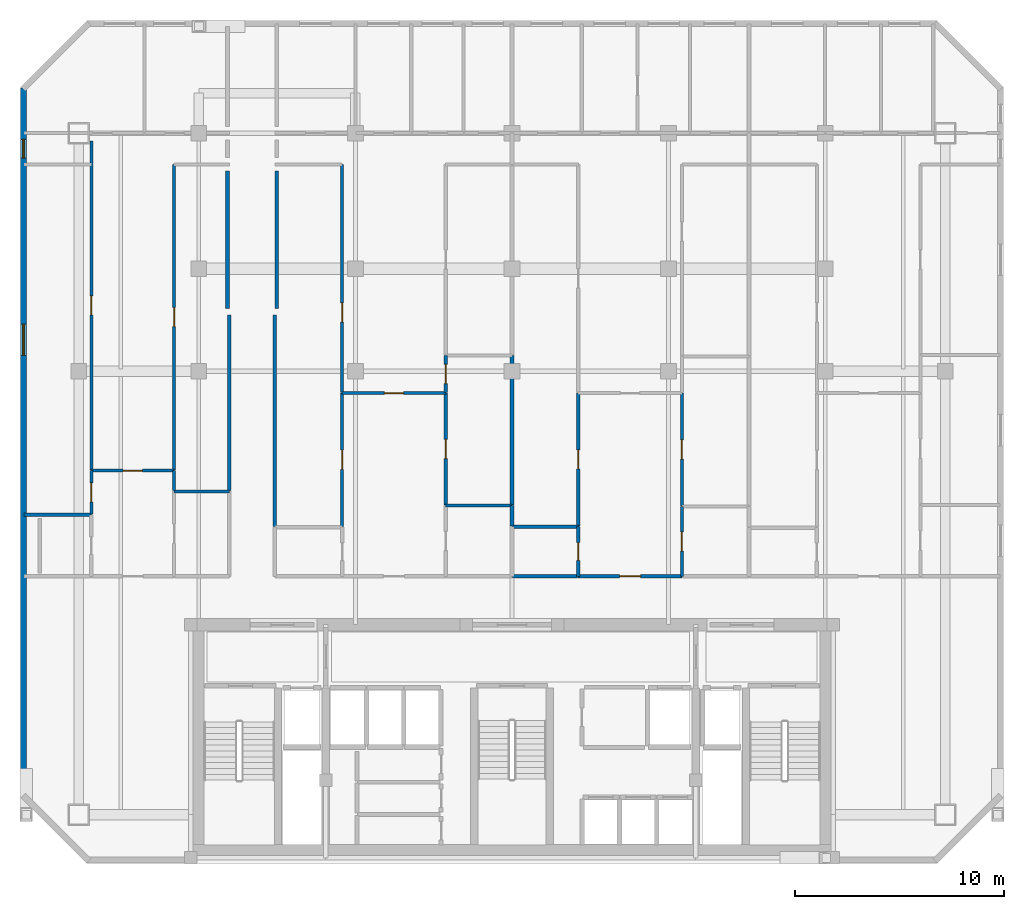
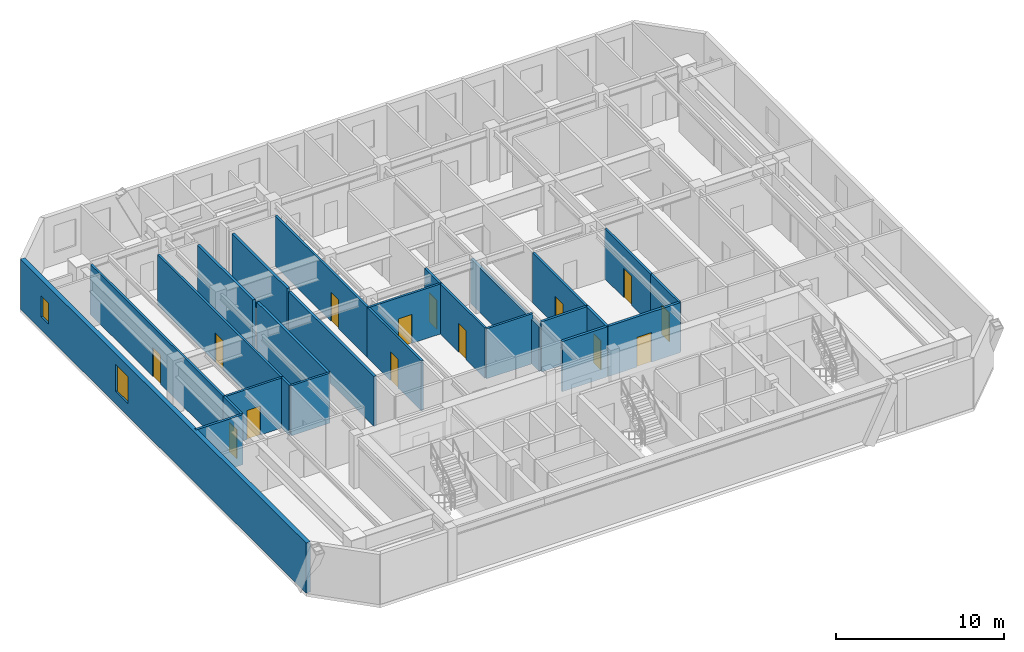
# One storey, part 4 of 9: 27 walls, 14 doors, 2 windows, 16 openings.
"""IFC4 building model written with IfcOpenShell, lengths in metres."""

import ifcopenshell
import ifcopenshell.guid

model = None  # the IFC model being written
_history = None  # IfcOwnerHistory: only IFC2X3 demands one
_inside = {}  # id of a spatial element -> (the spatial element, [elements in it])
_under = {}  # id of a project, library or spatial element -> (it, [spatial elements below it])
_declared = {}  # id of a project -> (the project, [libraries it declares])
_typed = {}  # id of a type object -> (the type object, [elements of that type])
_made_of = {}  # id of a material, layer set ... -> (it, [elements and type objects made of it])


def new_model(schema):
    """Start an empty IFC model of exactly this schema.

    Asked for "IFC4X3", IfcOpenShell would pick the latest addendum, in which some entities
    have other attributes; the version numbers below select the first issue.
    IFC2X3 requires an IfcOwnerHistory on every rooted entity: one is made here for all.
    """
    global model, _history
    if schema == "IFC4X3":
        model = ifcopenshell.file(schema_version=(4, 3, 0, 0))
    else:
        model = ifcopenshell.file(schema=schema)
    _inside.clear()
    _under.clear()
    _declared.clear()
    _typed.clear()
    _made_of.clear()
    _history = None
    if model.schema == "IFC2X3":
        org = make("IfcOrganization", Name="unknown")
        user = make(
            "IfcPersonAndOrganization",
            ThePerson=make("IfcPerson", FamilyName="unknown"),
            TheOrganization=org,
        )
        app = make(
            "IfcApplication",
            ApplicationDeveloper=org,
            Version="unknown",
            ApplicationFullName="unknown",
            ApplicationIdentifier="unknown",
        )
        _history = make(
            "IfcOwnerHistory",
            OwningUser=user,
            OwningApplication=app,
            ChangeAction="ADDED",
            CreationDate=0,
        )
    return model


def make(cls, **values):
    """One entity of the class cls with the attributes given. An attribute that is None is left unset."""
    return model.create_entity(
        cls, **{name: value for name, value in values.items() if value is not None}
    )


def rooted(cls, **values):
    """An entity with a GlobalId (a new one), such as an element, a storey or a relation."""
    return make(cls, GlobalId=ifcopenshell.guid.new(), OwnerHistory=_history, **values)


def si_unit(unit_type, name, prefix=None):
    """IfcSIUnit, for example si_unit("LENGTHUNIT", "METRE", prefix="MILLI")."""
    return make("IfcSIUnit", UnitType=unit_type, Prefix=prefix, Name=name)


def assignment(units):
    """IfcUnitAssignment: the units of a project."""
    return None if units is None else make("IfcUnitAssignment", Units=units)


def point(xyz):
    """IfcCartesianPoint."""
    return None if xyz is None else make("IfcCartesianPoint", Coordinates=xyz)


def direction(xyz):
    """IfcDirection."""
    return None if xyz is None else make("IfcDirection", DirectionRatios=xyz)


def frame(location, z_axis=None, x_axis=None):
    """IfcAxis2Placement3D, a coordinate frame: its origin and axes. An axis left out is left unset."""
    return make(
        "IfcAxis2Placement3D",
        Location=point(location),
        Axis=direction(z_axis),
        RefDirection=direction(x_axis),
    )


def frame_2d(location, x_axis=None):
    """IfcAxis2Placement2D, a coordinate frame in the plane: its origin and x axis."""
    return make(
        "IfcAxis2Placement2D", Location=point(location), RefDirection=direction(x_axis)
    )


def origin():
    """The frame at (0, 0, 0) with its axes left unset."""
    return frame((0.0, 0.0, 0.0))


def place(relative_to, where):
    """IfcLocalPlacement: puts the frame where relative to a parent placement (None: the world)."""
    return make(
        "IfcLocalPlacement", PlacementRelTo=relative_to, RelativePlacement=where
    )


def context(
    kind, dimensions, precision=None, world=None, true_north=None, identifier=None
):
    """IfcGeometricRepresentationContext, for example the 3D "Model" context."""
    return make(
        "IfcGeometricRepresentationContext",
        ContextIdentifier=identifier,
        ContextType=kind,
        CoordinateSpaceDimension=dimensions,
        Precision=precision,
        WorldCoordinateSystem=world,
        TrueNorth=true_north,
    )


def subcontext(parent, identifier, kind, view, scale=None):
    """IfcGeometricRepresentationSubContext, for example "Body" below "Model"."""
    return make(
        "IfcGeometricRepresentationSubContext",
        ContextIdentifier=identifier,
        ContextType=kind,
        ParentContext=parent,
        TargetScale=scale,
        TargetView=view,
    )


def project(units=None, contexts=None):
    """IfcProject with its units and contexts."""
    return rooted(
        "IfcProject",
        Name="project",
        RepresentationContexts=contexts,
        UnitsInContext=assignment(units),
    )


def spatial(cls, under=None, at=None, **own):
    """A site, building, storey or space (cls), placed at a placement, below another one or the project."""
    s = rooted(cls, ObjectPlacement=at, **own)
    if under is not None:
        _under.setdefault(under.id(), (under, []))[1].append(s)
    return s


def profile(cls, at=None, kind="AREA", **sizes):
    """A parametric profile (cls). Its sizes go by their IFC names, for example OverallWidth=200.0."""
    return make(cls, ProfileType=kind, Position=at, **sizes)


def rectangle(**sizes):
    """IfcRectangleProfileDef."""
    return profile("IfcRectangleProfileDef", **sizes)


def extrude(swept, where, along, depth):
    """IfcExtrudedAreaSolid: the profile swept, set in the frame where, extruded along a direction by depth."""
    return make(
        "IfcExtrudedAreaSolid",
        SweptArea=swept,
        Position=where,
        ExtrudedDirection=direction(along),
        Depth=depth,
    )


def shape(context_of_items, identifier, shape_type, items):
    """IfcShapeRepresentation: the items that make up one representation, for example the "Body"."""
    return make(
        "IfcShapeRepresentation",
        ContextOfItems=context_of_items,
        RepresentationIdentifier=identifier,
        RepresentationType=shape_type,
        Items=items,
    )


def material(Name=None, Category=None):
    """IfcMaterial."""
    return make("IfcMaterial", Name=Name, Category=Category)


def layer(
    of_material, thickness, ventilated=None, Name=None, Category=None, Priority=None
):
    """IfcMaterialLayer: one layer of a wall or slab, of a material (None: an air gap)."""
    return make(
        "IfcMaterialLayer",
        Material=of_material,
        LayerThickness=thickness,
        IsVentilated=ventilated,
        Name=Name,
        Category=Category,
        Priority=Priority,
    )


def layer_set(layers, Name=None):
    """IfcMaterialLayerSet."""
    return make("IfcMaterialLayerSet", MaterialLayers=layers, LayerSetName=Name)


def made_of(thing, what):
    """Note that an element or type object is made of a material, layer set ...; save() writes the relation."""
    if what is not None:
        _made_of.setdefault(what.id(), (what, []))[1].append(thing)
    return thing


def type_object(cls, material=None, **own):
    """A type object (cls), such as IfcWallType, which elements share."""
    return made_of(rooted(cls, **own), material)


def element(
    cls,
    number,
    at=None,
    inside=None,
    cuts=None,
    type_object=None,
    material=None,
    context=None,
    identifier="Body",
    shape_type=None,
    held_by="IfcProductDefinitionShape",
    body=None,
    shapes=None,
    **own,
):
    """One element of the class cls, such as IfcWall. Its Tag is "e" and its number.

    at: its placement. inside: the storey or other place that contains it. cuts: it is an
    opening in that element (IfcRelVoidsElement). A single representation is given by context,
    identifier, shape_type and body (its items); several are given by shapes. held_by: the class
    of the entity that holds the representations. save() writes the other relations.
    """
    e = rooted(cls, Tag="e%d" % number, ObjectPlacement=at, **own)
    if body is not None:
        shapes = [shape(context, identifier, shape_type, body)]
    if shapes is not None:
        e.Representation = make(held_by, Representations=shapes)
    if inside is not None:
        _inside.setdefault(inside.id(), (inside, []))[1].append(e)
    if cuts is not None:
        rooted(
            "IfcRelVoidsElement", RelatingBuildingElement=cuts, RelatedOpeningElement=e
        )
    if type_object is not None:
        _typed.setdefault(type_object.id(), (type_object, []))[1].append(e)
    return made_of(e, material)


def fill(opening, filler):
    """IfcRelFillsElement: the door or window that sits in an opening."""
    return rooted(
        "IfcRelFillsElement",
        RelatingOpeningElement=opening,
        RelatedBuildingElement=filler,
    )


def aggregate(whole, parts):
    """IfcRelAggregates: a whole, such as a stair, and the parts it consists of."""
    return rooted("IfcRelAggregates", RelatingObject=whole, RelatedObjects=parts)


def save(model, path):
    """Write the relations noted so far, then the file.

    IfcRelAggregates (storeys below a building ...), IfcRelContainedInSpatialStructure (elements
    in a storey), IfcRelDefinesByType, IfcRelAssociatesMaterial and IfcRelDeclares: one each for
    every whole, place, type object, material and project.
    """
    for whole, parts in _under.values():
        aggregate(whole, parts)
    for where, things in _inside.values():
        rooted(
            "IfcRelContainedInSpatialStructure",
            RelatedElements=things,
            RelatingStructure=where,
        )
    for kind, things in _typed.values():
        rooted("IfcRelDefinesByType", RelatedObjects=things, RelatingType=kind)
    for what, things in _made_of.values():
        rooted("IfcRelAssociatesMaterial", RelatedObjects=things, RelatingMaterial=what)
    for by, libraries in _declared.values():
        rooted("IfcRelDeclares", RelatingContext=by, RelatedDefinitions=libraries)
    model.write(path)


model = new_model("IFC4")

# Units and contexts
model_context = context("Model", 3, precision=1e-05, world=origin(), true_north=direction((0.0, 1.0)))
body_context = subcontext(model_context, "Body", "Model", "MODEL_VIEW")
ifc_project = project(units=[si_unit("LENGTHUNIT", "METRE"), si_unit("AREAUNIT", "SQUARE_METRE"), si_unit("VOLUMEUNIT", "CUBIC_METRE"), si_unit("PLANEANGLEUNIT", "RADIAN"), si_unit("MASSUNIT", "GRAM", prefix="KILO")], contexts=[model_context])

# Site, building, storey
site_placement = place(None, origin())
site = spatial("IfcSite", under=ifc_project, at=site_placement, CompositionType="ELEMENT")
building_placement = place(site_placement, origin())
building = spatial("IfcBuilding", under=site, at=building_placement, Name="Ventersveld Concourse Tower", CompositionType="ELEMENT")
storey_placement = place(building_placement, frame((0.0, 0.0, 215.699951171875)))
storey = spatial("IfcBuildingStorey", under=building, at=storey_placement, Name="L53", CompositionType="ELEMENT", Elevation=215.699951171875)

# Walls
ifc_material_1 = material(Name="Fire-rated autoclaved aerated masonry blockwork", Category="masonry")
ifc_layer_1 = layer(ifc_material_1, 0.179931640625)
ifc_layer_set_1 = layer_set([ifc_layer_1], Name="Fire-rated autoclaved aerated masonry blockwork")
wall_type_1 = type_object("IfcWallType", Name="WL-CORR-180", PredefinedType="PARTITIONING", material=ifc_layer_set_1)
wall_1_placement = place(storey_placement, frame((15.2099609375, 17.875732421875, 0.0), z_axis=(0.0, 0.0, 1.0), x_axis=(0.0, 1.0, 0.0)))
element("IfcWall", 1, at=wall_1_placement, inside=storey, type_object=wall_type_1, Name="L53 Interior Partition SP-L53-COR-SP-L53-53NW-SEMR1", PredefinedType="PARTITIONING", context=body_context, shape_type="SweptSolid", body=[
    extrude(rectangle(XDim=8.419189453125, YDim=0.179931640625, at=frame_2d((4.20947265625, 0.0))), origin(), (0.0, 0.0, 1.0), 3.630126953125),
])
wall_2_placement = place(storey_placement, frame((17.389892578125, 16.15478515625, 0.0), z_axis=(0.0, 0.0, 1.0), x_axis=(0.0, 1.0, 0.0)))
element("IfcWall", 2, at=wall_2_placement, inside=storey, type_object=wall_type_1, Name="L53 Interior Partition SP-L53-COR-SP-L53-53N1-OFFL0", PredefinedType="PARTITIONING", context=body_context, shape_type="SweptSolid", body=[
    extrude(rectangle(XDim=10.14013671875, YDim=0.179931640625, at=frame_2d((5.070068359375, 0.0))), origin(), (0.0, 0.0, 1.0), 3.630126953125),
])

# Wall, opening, door
wall_3_placement = place(storey_placement, frame((31.92041015625, 13.77001953125, 0.0), z_axis=(0.0, 0.0, 1.0), x_axis=(1.0, 0.0, 0.0)))
wall_3 = element("IfcWall", 3, at=wall_3_placement, inside=storey, type_object=wall_type_1, Name="L53 Interior Partition SP-L53-COR-SP-L53-53N2-FOY", PredefinedType="PARTITIONING", context=body_context, shape_type="SweptSolid", body=[
    extrude(rectangle(XDim=4.97265625, YDim=0.179931640625, at=frame_2d((2.486328125, 0.0))), origin(), (0.0, 0.0, 1.0), 3.630126953125),
])
opening_1_placement = place(wall_3_placement, frame((1.986328125, 0.0, 0.0)))
opening_1 = element("IfcOpeningElement", 4, at=opening_1_placement, cuts=wall_3, Name="Opening FD3", PredefinedType="OPENING", context=body_context, shape_type="SweptSolid", body=[
    extrude(rectangle(XDim=1.0, YDim=2.14990234375, at=frame_2d((0.5, 1.074951171875))), frame((0.0, 0.10009765625, 0.0), z_axis=(0.0, -1.0, 0.0), x_axis=(1.0, 0.0, 0.0)), (0.0, 0.0, 1.0), 0.199951171875),
])
ifc_material_2 = material(Name="Solid-core hardwood veneer timber", Category="wood")
door_type_1 = type_object("IfcDoorType", Name="DR-FLAT-100", OperationType="NOTDEFINED", PredefinedType="DOOR", material=ifc_material_2)
door_1_placement = place(opening_1_placement, origin())
door_1 = element("IfcDoor", 5, at=door_1_placement, inside=storey, type_object=door_type_1, Name="L53 Interior Door SP-L53-COR to SP-L53-53N2-FOY (FD-L53-2567)", OperationType="SINGLE_SWING_LEFT", OverallHeight=2.14990234375, OverallWidth=1.0, PredefinedType="DOOR", context=body_context, shape_type="SweptSolid", body=[
    extrude(rectangle(XDim=1.0, YDim=2.14990234375, at=frame_2d((0.5, 1.074951171875))), frame((0.0, 0.02490234375, 0.0), z_axis=(0.0, -1.0, 0.0), x_axis=(1.0, 0.0, 0.0)), (0.0, 0.0, 1.0), 0.050048828125),
])
fill(opening_1, door_1)

# Walls
wall_4_placement = place(storey_placement, frame((28.784912109375, 13.77001953125, 0.0), z_axis=(0.0, 0.0, 1.0), x_axis=(1.0, 0.0, 0.0)))
element("IfcWall", 6, at=wall_4_placement, inside=storey, type_object=wall_type_1, Name="L53 Interior Partition SP-L53-COR-SP-L53-53N2-BATH", PredefinedType="PARTITIONING", context=body_context, shape_type="SweptSolid", body=[
    extrude(rectangle(XDim=3.10546875, YDim=0.179931640625, at=frame_2d((1.552734375, 0.0))), origin(), (0.0, 0.0, 1.0), 3.630126953125),
])
for number, where, z_axis, x_axis, name in (
    (7, (15.1201171875, 33.175048828125, 0.0), (0.0, 0.0, 1.0), (0.0, -1.0, 0.0), "L53 Room Enclosure Wall SP-L53-53NW-SEMR1"),
    (8, (17.47998046875, 26.60986328125, 0.0), (0.0, 0.0, 1.0), (0.0, 1.0, 0.0), "L53 Room Enclosure Wall SP-L53-53N1-OFFL0"),
):
    element("IfcWall", number, at=place(storey_placement, frame(where, z_axis=z_axis, x_axis=x_axis)), inside=storey, type_object=wall_type_1, Name=name, PredefinedType="PARTITIONING", context=body_context, shape_type="SweptSolid", body=[
        extrude(rectangle(XDim=6.565185546875, YDim=0.179931640625, at=frame_2d((3.28271484375, 0.0))), origin(), (0.0, 0.0, 1.0), 3.630126953125),
    ])
ifc_layer_2 = layer(ifc_material_1, 0.199951171875)
ifc_layer_set_2 = layer_set([ifc_layer_2], Name="Fire-rated autoclaved aerated masonry blockwork")
wall_type_2 = type_object("IfcWallType", Name="WL-DEMISE-200", PredefinedType="PARTITIONING", material=ifc_layer_set_2)
wall_5_placement = place(storey_placement, frame((28.75, 16.1884765625, 0.0), z_axis=(0.0, 0.0, 1.0), x_axis=(0.0, 1.0, 0.0)))
element("IfcWall", 9, at=wall_5_placement, inside=storey, type_object=wall_type_2, Name="L53 Interior Partition SP-L53-53N1-KIT-SP-L53-53N2-OFFL0", PredefinedType="PARTITIONING", context=body_context, shape_type="SweptSolid", body=[
    extrude(rectangle(XDim=0.971435546875, YDim=0.199951171875, at=frame_2d((0.48583984375, 0.0))), origin(), (0.0, 0.0, 1.0), 3.2236328125),
])
wall_6_placement = place(storey_placement, frame((28.75, 17.18994140625, 0.0), z_axis=(0.0, 0.0, 1.0), x_axis=(0.0, 1.0, 0.0)))
element("IfcWall", 10, at=wall_6_placement, inside=storey, type_object=wall_type_2, Name="L53 Interior Partition SP-L53-53N1-DENR-SP-L53-53N2-OFFL0", PredefinedType="PARTITIONING", context=body_context, shape_type="SweptSolid", body=[
    extrude(rectangle(XDim=7.1552734375, YDim=0.199951171875, at=frame_2d((3.57763671875, 0.0))), origin(), (0.0, 0.0, 1.0), 3.2236328125),
])

# Wall, opening, door
ifc_material_3 = material(Name="Autoclaved aerated masonry blockwork", Category="masonry")
ifc_layer_3 = layer(ifc_material_3, 0.14990234375)
ifc_layer_set_3 = layer_set([ifc_layer_3], Name="Autoclaved aerated masonry blockwork")
wall_type_3 = type_object("IfcWallType", Name="WL-INT-150", PredefinedType="PARTITIONING", material=ifc_layer_set_3)
wall_7_placement = place(storey_placement, frame((8.59765625, 18.83349609375, 0.0), z_axis=(0.0, 0.0, 1.0), x_axis=(1.0, 0.0, 0.0)))
wall_7 = element("IfcWall", 11, at=wall_7_placement, inside=storey, type_object=wall_type_3, Name="L53 Interior Partition SP-L53-53NW-FOY-SP-L53-53NW-LIV", PredefinedType="PARTITIONING", context=body_context, shape_type="SweptSolid", body=[
    extrude(rectangle(XDim=3.969970703125, YDim=0.14990234375, at=frame_2d((1.98486328125, 0.0))), origin(), (0.0, 0.0, 1.0), 3.630126953125),
])
opening_2_placement = place(wall_7_placement, frame((1.52490234375, 0.0, 0.0)))
opening_2 = element("IfcOpeningElement", 12, at=opening_2_placement, cuts=wall_7, Name="Opening ID1", PredefinedType="OPENING", context=body_context, shape_type="SweptSolid", body=[
    extrude(rectangle(XDim=0.919921875, YDim=2.10009765625, at=frame_2d((0.4599609375, 1.050048828125))), frame((0.0, 0.0849609375, 0.0), z_axis=(0.0, -1.0, 0.0), x_axis=(1.0, 0.0, 0.0)), (0.0, 0.0, 1.0), 0.169921875),
])
door_type_2 = type_object("IfcDoorType", Name="DR-ROOM-092", OperationType="NOTDEFINED", PredefinedType="DOOR", material=ifc_material_2)
door_2_placement = place(opening_2_placement, origin())
door_2 = element("IfcDoor", 13, at=door_2_placement, inside=storey, type_object=door_type_2, Name="L53 Interior Door SP-L53-53NW-FOY to SP-L53-53NW-LIV (D-L53-2569)", OperationType="SINGLE_SWING_LEFT", OverallHeight=2.10009765625, OverallWidth=0.919921875, PredefinedType="DOOR", context=body_context, shape_type="SweptSolid", body=[
    extrude(rectangle(XDim=0.919921875, YDim=2.10009765625, at=frame_2d((0.4599609375, 1.050048828125))), frame((0.0, 0.02490234375, 0.0), z_axis=(0.0, -1.0, 0.0), x_axis=(1.0, 0.0, 0.0)), (0.0, 0.0, 1.0), 0.050048828125),
])
fill(opening_2, door_2)

wall_8_placement = place(storey_placement, frame((8.6025390625, 16.743408203125, 0.0), z_axis=(0.0, 0.0, 1.0), x_axis=(0.0, 1.0, 0.0)))
wall_8 = element("IfcWall", 14, at=wall_8_placement, inside=storey, type_object=wall_type_3, Name="L53 Interior Partition SP-L53-53NW-FOY-SP-L53-53NW-OFFL0", PredefinedType="PARTITIONING", context=body_context, shape_type="SweptSolid", body=[
    extrude(rectangle(XDim=2.094970703125, YDim=0.14990234375, at=frame_2d((1.04736328125, 0.0))), origin(), (0.0, 0.0, 1.0), 3.630126953125),
])
opening_3_placement = place(wall_8_placement, frame((0.58740234375, 0.0, 0.0)))
opening_3 = element("IfcOpeningElement", 15, at=opening_3_placement, cuts=wall_8, Name="Opening ID1", PredefinedType="OPENING", context=body_context, shape_type="SweptSolid", body=[
    extrude(rectangle(XDim=0.919921875, YDim=2.10009765625, at=frame_2d((0.4599609375, 1.050048828125))), frame((0.0, 0.0849609375, 0.0), z_axis=(0.0, -1.0, 0.0), x_axis=(1.0, 0.0, 0.0)), (0.0, 0.0, 1.0), 0.169921875),
])
door_3_placement = place(opening_3_placement, origin())
door_3 = element("IfcDoor", 16, at=door_3_placement, inside=storey, type_object=door_type_2, Name="L53 Interior Door SP-L53-53NW-FOY to SP-L53-53NW-OFFL0 (D-L53-2571)", OperationType="SINGLE_SWING_LEFT", OverallHeight=2.10009765625, OverallWidth=0.919921875, PredefinedType="DOOR", context=body_context, shape_type="SweptSolid", body=[
    extrude(rectangle(XDim=0.919921875, YDim=2.10009765625, at=frame_2d((0.4599609375, 1.050048828125))), frame((0.0, 0.02490234375, 0.0), z_axis=(0.0, -1.0, 0.0), x_axis=(1.0, 0.0, 0.0)), (0.0, 0.0, 1.0), 0.050048828125),
])
fill(opening_3, door_3)

# Wall
wall_9_placement = place(storey_placement, frame((12.5625, 17.875732421875, 0.0), z_axis=(0.0, 0.0, 1.0), x_axis=(0.0, 1.0, 0.0)))
element("IfcWall", 17, at=wall_9_placement, inside=storey, type_object=wall_type_3, Name="L53 Interior Partition SP-L53-53NW-FOY-SP-L53-53NW-SEMR1", PredefinedType="PARTITIONING", context=body_context, shape_type="SweptSolid", body=[
    extrude(rectangle(XDim=0.962646484375, YDim=0.14990234375, at=frame_2d((0.4814453125, 0.0))), origin(), (0.0, 0.0, 1.0), 3.630126953125),
])

# Wall, opening, door
wall_10_placement = place(storey_placement, frame((8.6025390625, 18.868408203125, 0.0), z_axis=(0.0, 0.0, 1.0), x_axis=(0.0, 1.0, 0.0)))
wall_10 = element("IfcWall", 18, at=wall_10_placement, inside=storey, type_object=wall_type_3, Name="L53 Interior Partition SP-L53-53NW-LIV-SP-L53-53NW-OFFL0", PredefinedType="PARTITIONING", context=body_context, shape_type="SweptSolid", body=[
    extrude(rectangle(XDim=15.7587890625, YDim=0.14990234375, at=frame_2d((7.87939453125, 0.0))), origin(), (0.0, 0.0, 1.0), 3.630126953125),
])
opening_4_placement = place(wall_10_placement, frame((7.41943359375, 0.0, 0.0)))
opening_4 = element("IfcOpeningElement", 19, at=opening_4_placement, cuts=wall_10, Name="Opening ID1", PredefinedType="OPENING", context=body_context, shape_type="SweptSolid", body=[
    extrude(rectangle(XDim=0.919921875, YDim=2.10009765625, at=frame_2d((0.4599609375, 1.050048828125))), frame((0.0, 0.0849609375, 0.0), z_axis=(0.0, -1.0, 0.0), x_axis=(1.0, 0.0, 0.0)), (0.0, 0.0, 1.0), 0.169921875),
])
door_4_placement = place(opening_4_placement, origin())
door_4 = element("IfcDoor", 20, at=door_4_placement, inside=storey, type_object=door_type_2, Name="L53 Interior Door SP-L53-53NW-LIV to SP-L53-53NW-OFFL0 (D-L53-2573)", OperationType="SINGLE_SWING_LEFT", OverallHeight=2.10009765625, OverallWidth=0.919921875, PredefinedType="DOOR", context=body_context, shape_type="SweptSolid", body=[
    extrude(rectangle(XDim=0.919921875, YDim=2.10009765625, at=frame_2d((0.4599609375, 1.050048828125))), frame((0.0, 0.02490234375, 0.0), z_axis=(0.0, -1.0, 0.0), x_axis=(1.0, 0.0, 0.0)), (0.0, 0.0, 1.0), 0.050048828125),
])
fill(opening_4, door_4)

wall_11_placement = place(storey_placement, frame((12.5625, 18.868408203125, 0.0), z_axis=(0.0, 0.0, 1.0), x_axis=(0.0, 1.0, 0.0)))
wall_11 = element("IfcWall", 21, at=wall_11_placement, inside=storey, type_object=wall_type_3, Name="L53 Interior Partition SP-L53-53NW-LIV-SP-L53-53NW-SEMR1", PredefinedType="PARTITIONING", context=body_context, shape_type="SweptSolid", body=[
    extrude(rectangle(XDim=14.636474609375, YDim=0.14990234375, at=frame_2d((7.318359375, 0.0))), origin(), (0.0, 0.0, 1.0), 3.630126953125),
])
opening_5_placement = place(wall_11_placement, frame((6.8583984375, 0.0, 0.0)))
opening_5 = element("IfcOpeningElement", 22, at=opening_5_placement, cuts=wall_11, Name="Opening ID1", PredefinedType="OPENING", context=body_context, shape_type="SweptSolid", body=[
    extrude(rectangle(XDim=0.919921875, YDim=2.10009765625, at=frame_2d((0.4599609375, 1.050048828125))), frame((0.0, 0.0849609375, 0.0), z_axis=(0.0, -1.0, 0.0), x_axis=(1.0, 0.0, 0.0)), (0.0, 0.0, 1.0), 0.169921875),
])
door_5_placement = place(opening_5_placement, origin())
door_5 = element("IfcDoor", 23, at=door_5_placement, inside=storey, type_object=door_type_2, Name="L53 Interior Door SP-L53-53NW-LIV to SP-L53-53NW-SEMR1 (D-L53-2574)", OperationType="SINGLE_SWING_RIGHT", OverallHeight=2.10009765625, OverallWidth=0.919921875, PredefinedType="DOOR", context=body_context, shape_type="SweptSolid", body=[
    extrude(rectangle(XDim=0.919921875, YDim=2.10009765625, at=frame_2d((0.4599609375, 1.050048828125))), frame((0.0, 0.02490234375, 0.0), z_axis=(0.0, -1.0, 0.0), x_axis=(1.0, 0.0, 0.0)), (0.0, 0.0, 1.0), 0.050048828125),
])
fill(opening_5, door_5)

# Wall
wall_12_placement = place(storey_placement, frame((12.5576171875, 17.8408203125, 0.0), z_axis=(0.0, 0.0, 1.0), x_axis=(1.0, 0.0, 0.0)))
element("IfcWall", 24, at=wall_12_placement, inside=storey, type_object=wall_type_3, Name="L53 Interior Partition SP-L53-53NW-KIT-SP-L53-53NW-SEMR1", PredefinedType="PARTITIONING", context=body_context, shape_type="SweptSolid", body=[
    extrude(rectangle(XDim=2.657470703125, YDim=0.14990234375, at=frame_2d((1.32861328125, 0.0))), origin(), (0.0, 0.0, 1.0), 3.630126953125),
])

# Wall, opening, door
wall_13_placement = place(storey_placement, frame((20.60693359375, 22.5478515625, 0.0), z_axis=(0.0, 0.0, 1.0), x_axis=(1.0, 0.0, 0.0)))
wall_13 = element("IfcWall", 25, at=wall_13_placement, inside=storey, type_object=wall_type_3, Name="L53 Interior Partition SP-L53-53N1-FOY-SP-L53-53N1-LIV", PredefinedType="PARTITIONING", context=body_context, shape_type="SweptSolid", body=[
    extrude(rectangle(XDim=4.97265625, YDim=0.14990234375, at=frame_2d((2.486328125, 0.0))), origin(), (0.0, 0.0, 1.0), 3.630126953125),
])
opening_6_placement = place(wall_13_placement, frame((2.0263671875, 0.0, 0.0)))
opening_6 = element("IfcOpeningElement", 26, at=opening_6_placement, cuts=wall_13, Name="Opening ID1", PredefinedType="OPENING", context=body_context, shape_type="SweptSolid", body=[
    extrude(rectangle(XDim=0.919921875, YDim=2.10009765625, at=frame_2d((0.4599609375, 1.050048828125))), frame((0.0, 0.0849609375, 0.0), z_axis=(0.0, -1.0, 0.0), x_axis=(1.0, 0.0, 0.0)), (0.0, 0.0, 1.0), 0.169921875),
])
door_6_placement = place(opening_6_placement, origin())
door_6 = element("IfcDoor", 27, at=door_6_placement, inside=storey, type_object=door_type_2, Name="L53 Interior Door SP-L53-53N1-FOY to SP-L53-53N1-LIV (D-L53-2577)", OperationType="SINGLE_SWING_LEFT", OverallHeight=2.10009765625, OverallWidth=0.919921875, PredefinedType="DOOR", context=body_context, shape_type="SweptSolid", body=[
    extrude(rectangle(XDim=0.919921875, YDim=2.10009765625, at=frame_2d((0.4599609375, 1.050048828125))), frame((0.0, 0.02490234375, 0.0), z_axis=(0.0, -1.0, 0.0), x_axis=(1.0, 0.0, 0.0)), (0.0, 0.0, 1.0), 0.050048828125),
])
fill(opening_6, door_6)

wall_14_placement = place(storey_placement, frame((20.61181640625, 16.15478515625, 0.0), z_axis=(0.0, 0.0, 1.0), x_axis=(0.0, 1.0, 0.0)))
wall_14 = element("IfcWall", 28, at=wall_14_placement, inside=storey, type_object=wall_type_3, Name="L53 Interior Partition SP-L53-53N1-FOY-SP-L53-53N1-OFFL0", PredefinedType="PARTITIONING", context=body_context, shape_type="SweptSolid", body=[
    extrude(rectangle(XDim=6.398193359375, YDim=0.14990234375, at=frame_2d((3.19921875, 0.0))), origin(), (0.0, 0.0, 1.0), 3.630126953125),
])
opening_7_placement = place(wall_14_placement, frame((2.739013671875, 0.0, 0.0)))
opening_7 = element("IfcOpeningElement", 29, at=opening_7_placement, cuts=wall_14, Name="Opening ID1", PredefinedType="OPENING", context=body_context, shape_type="SweptSolid", body=[
    extrude(rectangle(XDim=0.919921875, YDim=2.10009765625, at=frame_2d((0.4599609375, 1.050048828125))), frame((0.0, 0.0849609375, 0.0), z_axis=(0.0, -1.0, 0.0), x_axis=(1.0, 0.0, 0.0)), (0.0, 0.0, 1.0), 0.169921875),
])
door_7_placement = place(opening_7_placement, origin())
door_7 = element("IfcDoor", 30, at=door_7_placement, inside=storey, type_object=door_type_2, Name="L53 Interior Door SP-L53-53N1-FOY to SP-L53-53N1-OFFL0 (D-L53-2579)", OperationType="SINGLE_SWING_LEFT", OverallHeight=2.10009765625, OverallWidth=0.919921875, PredefinedType="DOOR", context=body_context, shape_type="SweptSolid", body=[
    extrude(rectangle(XDim=0.919921875, YDim=2.10009765625, at=frame_2d((0.4599609375, 1.050048828125))), frame((0.0, 0.02490234375, 0.0), z_axis=(0.0, -1.0, 0.0), x_axis=(1.0, 0.0, 0.0)), (0.0, 0.0, 1.0), 0.050048828125),
])
fill(opening_7, door_7)

wall_15_placement = place(storey_placement, frame((25.57470703125, 17.18994140625, 0.0), z_axis=(0.0, 0.0, 1.0), x_axis=(0.0, 1.0, 0.0)))
wall_15 = element("IfcWall", 31, at=wall_15_placement, inside=storey, type_object=wall_type_3, Name="L53 Interior Partition SP-L53-53N1-FOY-SP-L53-53N1-DENR", PredefinedType="PARTITIONING", context=body_context, shape_type="SweptSolid", body=[
    extrude(rectangle(XDim=5.363037109375, YDim=0.14990234375, at=frame_2d((2.681640625, 0.0))), origin(), (0.0, 0.0, 1.0), 3.630126953125),
])
opening_8_placement = place(wall_15_placement, frame((2.221435546875, 0.0, 0.0)))
opening_8 = element("IfcOpeningElement", 32, at=opening_8_placement, cuts=wall_15, Name="Opening ID1", PredefinedType="OPENING", context=body_context, shape_type="SweptSolid", body=[
    extrude(rectangle(XDim=0.919921875, YDim=2.10009765625, at=frame_2d((0.4599609375, 1.050048828125))), frame((0.0, 0.0849609375, 0.0), z_axis=(0.0, -1.0, 0.0), x_axis=(1.0, 0.0, 0.0)), (0.0, 0.0, 1.0), 0.169921875),
])
door_8_placement = place(opening_8_placement, origin())
door_8 = element("IfcDoor", 33, at=door_8_placement, inside=storey, type_object=door_type_2, Name="L53 Interior Door SP-L53-53N1-FOY to SP-L53-53N1-DENR (D-L53-2581)", OperationType="SINGLE_SWING_LEFT", OverallHeight=2.10009765625, OverallWidth=0.919921875, PredefinedType="DOOR", context=body_context, shape_type="SweptSolid", body=[
    extrude(rectangle(XDim=0.919921875, YDim=2.10009765625, at=frame_2d((0.4599609375, 1.050048828125))), frame((0.0, 0.02490234375, 0.0), z_axis=(0.0, -1.0, 0.0), x_axis=(1.0, 0.0, 0.0)), (0.0, 0.0, 1.0), 0.050048828125),
])
fill(opening_8, door_8)

wall_16_placement = place(storey_placement, frame((20.61181640625, 22.5830078125, 0.0), z_axis=(0.0, 0.0, 1.0), x_axis=(0.0, 1.0, 0.0)))
wall_16 = element("IfcWall", 34, at=wall_16_placement, inside=storey, type_object=wall_type_3, Name="L53 Interior Partition SP-L53-53N1-LIV-SP-L53-53N1-OFFL0", PredefinedType="PARTITIONING", context=body_context, shape_type="SweptSolid", body=[
    extrude(rectangle(XDim=10.921875, YDim=0.14990234375, at=frame_2d((5.4609375, 0.0))), origin(), (0.0, 0.0, 1.0), 3.630126953125),
])
opening_9_placement = place(wall_16_placement, frame((3.36279296875, 0.0, 0.0)))
opening_9 = element("IfcOpeningElement", 35, at=opening_9_placement, cuts=wall_16, Name="Opening ID1", PredefinedType="OPENING", context=body_context, shape_type="SweptSolid", body=[
    extrude(rectangle(XDim=0.919921875, YDim=2.10009765625, at=frame_2d((0.4599609375, 1.050048828125))), frame((0.0, 0.0849609375, 0.0), z_axis=(0.0, -1.0, 0.0), x_axis=(1.0, 0.0, 0.0)), (0.0, 0.0, 1.0), 0.169921875),
])
door_9_placement = place(opening_9_placement, origin())
door_9 = element("IfcDoor", 36, at=door_9_placement, inside=storey, type_object=door_type_2, Name="L53 Interior Door SP-L53-53N1-LIV to SP-L53-53N1-OFFL0 (D-L53-2582)", OperationType="SINGLE_SWING_RIGHT", OverallHeight=2.10009765625, OverallWidth=0.919921875, PredefinedType="DOOR", context=body_context, shape_type="SweptSolid", body=[
    extrude(rectangle(XDim=0.919921875, YDim=2.10009765625, at=frame_2d((0.4599609375, 1.050048828125))), frame((0.0, 0.02490234375, 0.0), z_axis=(0.0, -1.0, 0.0), x_axis=(1.0, 0.0, 0.0)), (0.0, 0.0, 1.0), 0.050048828125),
])
fill(opening_9, door_9)

wall_17_placement = place(storey_placement, frame((25.57470703125, 22.5830078125, 0.0), z_axis=(0.0, 0.0, 1.0), x_axis=(0.0, 1.0, 0.0)))
wall_17 = element("IfcWall", 37, at=wall_17_placement, inside=storey, type_object=wall_type_3, Name="L53 Interior Partition SP-L53-53N1-LIV-SP-L53-53N1-DENR", PredefinedType="PARTITIONING", context=body_context, shape_type="SweptSolid", body=[
    extrude(rectangle(XDim=1.76220703125, YDim=0.14990234375, at=frame_2d((0.881103515625, 0.0))), origin(), (0.0, 0.0, 1.0), 3.630126953125),
])
opening_10_placement = place(wall_17_placement, frame((0.421142578125, 0.0, 0.0)))
opening_10 = element("IfcOpeningElement", 38, at=opening_10_placement, cuts=wall_17, Name="Opening ID1", PredefinedType="OPENING", context=body_context, shape_type="SweptSolid", body=[
    extrude(rectangle(XDim=0.919921875, YDim=2.10009765625, at=frame_2d((0.4599609375, 1.050048828125))), frame((0.0, 0.0849609375, 0.0), z_axis=(0.0, -1.0, 0.0), x_axis=(1.0, 0.0, 0.0)), (0.0, 0.0, 1.0), 0.169921875),
])
door_10_placement = place(opening_10_placement, origin())
door_10 = element("IfcDoor", 39, at=door_10_placement, inside=storey, type_object=door_type_2, Name="L53 Interior Door SP-L53-53N1-LIV to SP-L53-53N1-DENR (D-L53-2583)", OperationType="SINGLE_SWING_LEFT", OverallHeight=2.10009765625, OverallWidth=0.919921875, PredefinedType="DOOR", context=body_context, shape_type="SweptSolid", body=[
    extrude(rectangle(XDim=0.919921875, YDim=2.10009765625, at=frame_2d((0.4599609375, 1.050048828125))), frame((0.0, 0.02490234375, 0.0), z_axis=(0.0, -1.0, 0.0), x_axis=(1.0, 0.0, 0.0)), (0.0, 0.0, 1.0), 0.050048828125),
])
fill(opening_10, door_10)

# Wall
wall_18_placement = place(storey_placement, frame((25.569580078125, 17.155029296875, 0.0), z_axis=(0.0, 0.0, 1.0), x_axis=(1.0, 0.0, 0.0)))
element("IfcWall", 40, at=wall_18_placement, inside=storey, type_object=wall_type_3, Name="L53 Interior Partition SP-L53-53N1-KIT-SP-L53-53N1-DENR", PredefinedType="PARTITIONING", context=body_context, shape_type="SweptSolid", body=[
    extrude(rectangle(XDim=3.185302734375, YDim=0.14990234375, at=frame_2d((1.5927734375, 0.0))), origin(), (0.0, 0.0, 1.0), 3.630126953125),
])

# Wall, opening, door
wall_19_placement = place(storey_placement, frame((31.92529296875, 16.1884765625, 0.0), z_axis=(0.0, 0.0, 1.0), x_axis=(0.0, 1.0, 0.0)))
wall_19 = element("IfcWall", 41, at=wall_19_placement, inside=storey, type_object=wall_type_3, Name="L53 Interior Partition SP-L53-53N2-FOY-SP-L53-53N2-OFFL0", PredefinedType="PARTITIONING", context=body_context, shape_type="SweptSolid", body=[
    extrude(rectangle(XDim=6.364501953125, YDim=0.14990234375, at=frame_2d((3.18212890625, 0.0))), origin(), (0.0, 0.0, 1.0), 3.630126953125),
])
opening_11_placement = place(wall_19_placement, frame((2.72216796875, 0.0, 0.0)))
opening_11 = element("IfcOpeningElement", 42, at=opening_11_placement, cuts=wall_19, Name="Opening ID1", PredefinedType="OPENING", context=body_context, shape_type="SweptSolid", body=[
    extrude(rectangle(XDim=0.919921875, YDim=2.10009765625, at=frame_2d((0.4599609375, 1.050048828125))), frame((0.0, 0.0849609375, 0.0), z_axis=(0.0, -1.0, 0.0), x_axis=(1.0, 0.0, 0.0)), (0.0, 0.0, 1.0), 0.169921875),
])
door_11_placement = place(opening_11_placement, origin())
door_11 = element("IfcDoor", 43, at=door_11_placement, inside=storey, type_object=door_type_2, Name="L53 Interior Door SP-L53-53N2-FOY to SP-L53-53N2-OFFL0 (D-L53-2591)", OperationType="SINGLE_SWING_LEFT", OverallHeight=2.10009765625, OverallWidth=0.919921875, PredefinedType="DOOR", context=body_context, shape_type="SweptSolid", body=[
    extrude(rectangle(XDim=0.919921875, YDim=2.10009765625, at=frame_2d((0.4599609375, 1.050048828125))), frame((0.0, 0.02490234375, 0.0), z_axis=(0.0, -1.0, 0.0), x_axis=(1.0, 0.0, 0.0)), (0.0, 0.0, 1.0), 0.050048828125),
])
fill(opening_11, door_11)

wall_20_placement = place(storey_placement, frame((36.88818359375, 13.764892578125, 0.0), z_axis=(0.0, 0.0, 1.0), x_axis=(0.0, 1.0, 0.0)))
wall_20 = element("IfcWall", 44, at=wall_20_placement, inside=storey, type_object=wall_type_3, Name="L53 Interior Partition SP-L53-53N2-FOY-SP-L53-53N2-KIT", PredefinedType="PARTITIONING", context=body_context, shape_type="SweptSolid", body=[
    extrude(rectangle(XDim=3.345947265625, YDim=0.14990234375, at=frame_2d((1.6728515625, 0.0))), origin(), (0.0, 0.0, 1.0), 3.630126953125),
])
opening_12_placement = place(wall_20_placement, frame((1.212890625, 0.0, 0.0)))
opening_12 = element("IfcOpeningElement", 45, at=opening_12_placement, cuts=wall_20, Name="Opening ID1", PredefinedType="OPENING", context=body_context, shape_type="SweptSolid", body=[
    extrude(rectangle(XDim=0.919921875, YDim=2.10009765625, at=frame_2d((0.4599609375, 1.050048828125))), frame((0.0, 0.0849609375, 0.0), z_axis=(0.0, -1.0, 0.0), x_axis=(1.0, 0.0, 0.0)), (0.0, 0.0, 1.0), 0.169921875),
])
door_12_placement = place(opening_12_placement, origin())
door_12 = element("IfcDoor", 46, at=door_12_placement, inside=storey, type_object=door_type_2, Name="L53 Interior Door SP-L53-53N2-FOY to SP-L53-53N2-KIT (D-L53-2592)", OperationType="SINGLE_SWING_RIGHT", OverallHeight=2.10009765625, OverallWidth=0.919921875, PredefinedType="DOOR", context=body_context, shape_type="SweptSolid", body=[
    extrude(rectangle(XDim=0.919921875, YDim=2.10009765625, at=frame_2d((0.4599609375, 1.050048828125))), frame((0.0, 0.02490234375, 0.0), z_axis=(0.0, -1.0, 0.0), x_axis=(1.0, 0.0, 0.0)), (0.0, 0.0, 1.0), 0.050048828125),
])
fill(opening_12, door_12)

wall_21_placement = place(storey_placement, frame((36.88818359375, 17.140869140625, 0.0), z_axis=(0.0, 0.0, 1.0), x_axis=(0.0, 1.0, 0.0)))
wall_21 = element("IfcWall", 47, at=wall_21_placement, inside=storey, type_object=wall_type_3, Name="L53 Interior Partition SP-L53-53N2-FOY-SP-L53-53N2-DENR", PredefinedType="PARTITIONING", context=body_context, shape_type="SweptSolid", body=[
    extrude(rectangle(XDim=5.412109375, YDim=0.14990234375, at=frame_2d((2.7060546875, 0.0))), origin(), (0.0, 0.0, 1.0), 3.630126953125),
])
opening_13_placement = place(wall_21_placement, frame((2.24609375, 0.0, 0.0)))
opening_13 = element("IfcOpeningElement", 48, at=opening_13_placement, cuts=wall_21, Name="Opening ID1", PredefinedType="OPENING", context=body_context, shape_type="SweptSolid", body=[
    extrude(rectangle(XDim=0.919921875, YDim=2.10009765625, at=frame_2d((0.4599609375, 1.050048828125))), frame((0.0, 0.0849609375, 0.0), z_axis=(0.0, -1.0, 0.0), x_axis=(1.0, 0.0, 0.0)), (0.0, 0.0, 1.0), 0.169921875),
])
door_13_placement = place(opening_13_placement, origin())
door_13 = element("IfcDoor", 49, at=door_13_placement, inside=storey, type_object=door_type_2, Name="L53 Interior Door SP-L53-53N2-FOY to SP-L53-53N2-DENR (D-L53-2593)", OperationType="SINGLE_SWING_LEFT", OverallHeight=2.10009765625, OverallWidth=0.919921875, PredefinedType="DOOR", context=body_context, shape_type="SweptSolid", body=[
    extrude(rectangle(XDim=0.919921875, YDim=2.10009765625, at=frame_2d((0.4599609375, 1.050048828125))), frame((0.0, 0.02490234375, 0.0), z_axis=(0.0, -1.0, 0.0), x_axis=(1.0, 0.0, 0.0)), (0.0, 0.0, 1.0), 0.050048828125),
])
fill(opening_13, door_13)

# Wall, openings, windows
ifc_material_4 = material(Name="Precast concrete C45/55", Category="concrete")
ifc_layer_4 = layer(ifc_material_4, 0.300048828125)
ifc_layer_set_4 = layer_set([ifc_layer_4], Name="Precast concrete C45/55")
wall_type_4 = type_object("IfcWallType", Name="WL-PREC-300", PredefinedType="SOLIDWALL", material=ifc_layer_set_4)
wall_22_placement = place(storey_placement, frame((5.35009765625, 37.159912109375, 0.0), z_axis=(0.0, 0.0, 1.0), x_axis=(0.0, -1.0, 0.0)))
wall_22 = element("IfcWall", 50, at=wall_22_placement, inside=storey, type_object=wall_type_4, Name="L53 Highveld Precast Facade Wall E07", PredefinedType="SOLIDWALL", context=body_context, shape_type="SweptSolid", body=[
    extrude(rectangle(XDim=33.919921875, YDim=0.300048828125, at=frame_2d((16.9599609375, 0.0))), origin(), (0.0, 0.0, 1.0), 3.630126953125),
])
opening_14_placement = place(wall_22_placement, frame((2.4599609375, 0.0, 0.949951171875)))
opening_14 = element("IfcOpeningElement", 51, at=opening_14_placement, cuts=wall_22, Name="Opening W4", PredefinedType="OPENING", context=body_context, shape_type="SweptSolid", body=[
    extrude(rectangle(XDim=0.89990234375, YDim=1.5, at=frame_2d((0.449951171875, 0.75))), frame((0.0, 0.16015625, 0.0), z_axis=(0.0, -1.0, 0.0), x_axis=(1.0, 0.0, 0.0)), (0.0, 0.0, 1.0), 0.320068359375),
])
opening_15_placement = place(wall_22_placement, frame((11.3056640625, 0.0, 0.89990234375)))
opening_15 = element("IfcOpeningElement", 52, at=opening_15_placement, cuts=wall_22, Name="Opening W1", PredefinedType="OPENING", context=body_context, shape_type="SweptSolid", body=[
    extrude(rectangle(XDim=1.5, YDim=1.949951171875, at=frame_2d((0.75, 0.97509765625))), frame((0.0, 0.16015625, 0.0), z_axis=(0.0, -1.0, 0.0), x_axis=(1.0, 0.0, 0.0)), (0.0, 0.0, 1.0), 0.320068359375),
])
ifc_material_5 = material(Name="Tempered acoustic Low-E IGU", Category="glass")
window_type_1 = type_object("IfcWindowType", Name="WIN-090x150", PartitioningType="SINGLE_PANEL", PredefinedType="WINDOW", material=ifc_material_5)
window_1_placement = place(opening_14_placement, origin())
window_1 = element("IfcWindow", 53, at=window_1_placement, inside=storey, type_object=window_type_1, Name="L53 Punched Low-E Window W-0746", OverallHeight=1.5, OverallWidth=0.89990234375, PartitioningType="SINGLE_PANEL", PredefinedType="WINDOW", context=body_context, shape_type="SweptSolid", body=[
    extrude(rectangle(XDim=0.89990234375, YDim=1.5, at=frame_2d((0.449951171875, 0.75))), frame((0.0, 0.030029296875, 0.0), z_axis=(0.0, -1.0, 0.0), x_axis=(1.0, 0.0, 0.0)), (0.0, 0.0, 1.0), 0.06005859375),
])
fill(opening_14, window_1)
window_type_2 = type_object("IfcWindowType", Name="WIN-150x210", PartitioningType="SINGLE_PANEL", PredefinedType="WINDOW", material=ifc_material_5)
window_2_placement = place(opening_15_placement, origin())
window_2 = element("IfcWindow", 54, at=window_2_placement, inside=storey, type_object=window_type_2, Name="L53 Punched Low-E Window W-0747", OverallHeight=1.949951171875, OverallWidth=1.5, PartitioningType="SINGLE_PANEL", PredefinedType="WINDOW", context=body_context, shape_type="SweptSolid", body=[
    extrude(rectangle(XDim=1.5, YDim=1.949951171875, at=frame_2d((0.75, 0.97509765625))), frame((0.0, 0.030029296875, 0.0), z_axis=(0.0, -1.0, 0.0), x_axis=(1.0, 0.0, 0.0)), (0.0, 0.0, 1.0), 0.06005859375),
])
fill(opening_15, window_2)

# Wall
ifc_layer_5 = layer(ifc_material_3, 0.1650390625)
ifc_layer_set_5 = layer_set([ifc_layer_5], Name="Autoclaved aerated masonry blockwork")
wall_type_5 = type_object("IfcWallType", Name="WL-WET-165", PredefinedType="PLUMBINGWALL", material=ifc_layer_set_5)
wall_23_placement = place(storey_placement, frame((5.37255859375, 16.70849609375, 0.0), z_axis=(0.0, 0.0, 1.0), x_axis=(1.0, 0.0, 0.0)))
element("IfcWall", 55, at=wall_23_placement, inside=storey, type_object=wall_type_5, Name="L53 Interior Partition SP-L53-53NW-BATH-SP-L53-53NW-OFFL0", PredefinedType="PLUMBINGWALL", context=body_context, shape_type="SweptSolid", body=[
    extrude(rectangle(XDim=3.235107421875, YDim=0.1650390625, at=frame_2d((1.61767578125, 0.0))), origin(), (0.0, 0.0, 1.0), 3.630126953125),
])

# Wall, opening, door
wall_24_placement = place(storey_placement, frame((31.92529296875, 13.764892578125, 0.0), z_axis=(0.0, 0.0, 1.0), x_axis=(0.0, 1.0, 0.0)))
wall_24 = element("IfcWall", 56, at=wall_24_placement, inside=storey, type_object=wall_type_5, Name="L53 Interior Partition SP-L53-53N2-FOY-SP-L53-53N2-BATH", PredefinedType="PLUMBINGWALL", context=body_context, shape_type="SweptSolid", body=[
    extrude(rectangle(XDim=2.3935546875, YDim=0.1650390625, at=frame_2d((1.19677734375, 0.0))), origin(), (0.0, 0.0, 1.0), 3.630126953125),
])
opening_16_placement = place(wall_24_placement, frame((0.771728515625, 0.0, 0.0)))
opening_16 = element("IfcOpeningElement", 57, at=opening_16_placement, cuts=wall_24, Name="Opening ID2", PredefinedType="OPENING", context=body_context, shape_type="SweptSolid", body=[
    extrude(rectangle(XDim=0.85009765625, YDim=2.10009765625, at=frame_2d((0.425048828125, 1.050048828125))), frame((0.0, 0.092529296875, 0.0), z_axis=(0.0, -1.0, 0.0), x_axis=(1.0, 0.0, 0.0)), (0.0, 0.0, 1.0), 0.18505859375),
])
door_type_3 = type_object("IfcDoorType", Name="DR-BATH-085", OperationType="NOTDEFINED", PredefinedType="DOOR", material=ifc_material_2)
door_14_placement = place(opening_16_placement, origin())
door_14 = element("IfcDoor", 58, at=door_14_placement, inside=storey, type_object=door_type_3, Name="L53 Interior Door SP-L53-53N2-FOY to SP-L53-53N2-BATH (D-L53-2590)", OperationType="SINGLE_SWING_RIGHT", OverallHeight=2.10009765625, OverallWidth=0.85009765625, PredefinedType="DOOR", context=body_context, shape_type="SweptSolid", body=[
    extrude(rectangle(XDim=0.85009765625, YDim=2.10009765625, at=frame_2d((0.425048828125, 1.050048828125))), frame((0.0, 0.02490234375, 0.0), z_axis=(0.0, -1.0, 0.0), x_axis=(1.0, 0.0, 0.0)), (0.0, 0.0, 1.0), 0.050048828125),
])
fill(opening_16, door_14)

# Wall
wall_25_placement = place(storey_placement, frame((28.7451171875, 16.153564453125, 0.0), z_axis=(0.0, 0.0, 1.0), x_axis=(1.0, 0.0, 0.0)))
element("IfcWall", 59, at=wall_25_placement, inside=storey, type_object=wall_type_5, Name="L53 Interior Partition SP-L53-53N2-BATH-SP-L53-53N2-OFFL0", PredefinedType="PLUMBINGWALL", context=body_context, shape_type="SweptSolid", body=[
    extrude(rectangle(XDim=3.185302734375, YDim=0.1650390625, at=frame_2d((1.5927734375, 0.0))), origin(), (0.0, 0.0, 1.0), 3.630126953125),
])

save(model, "model.ifc")
